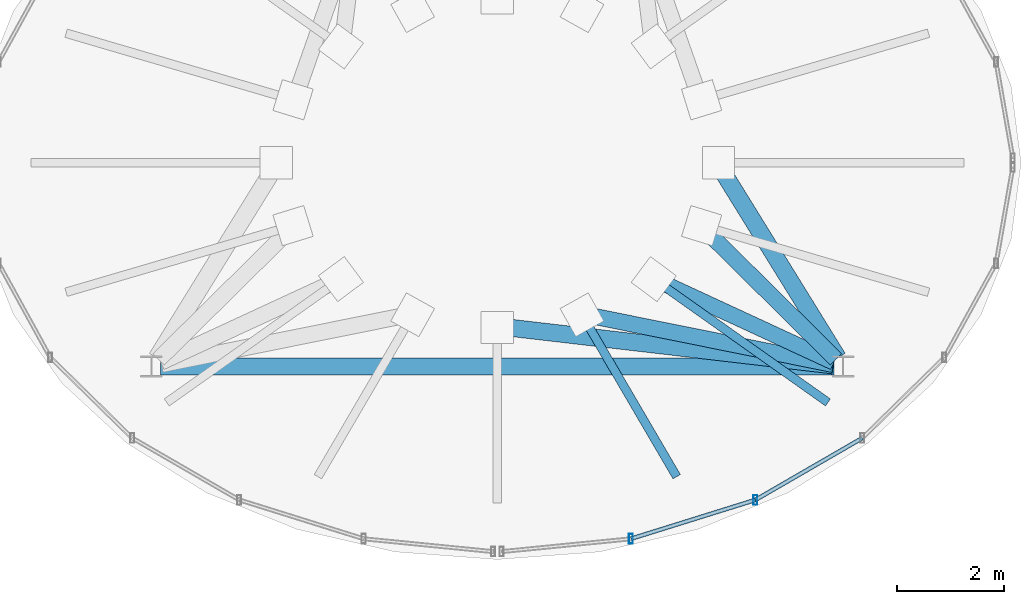
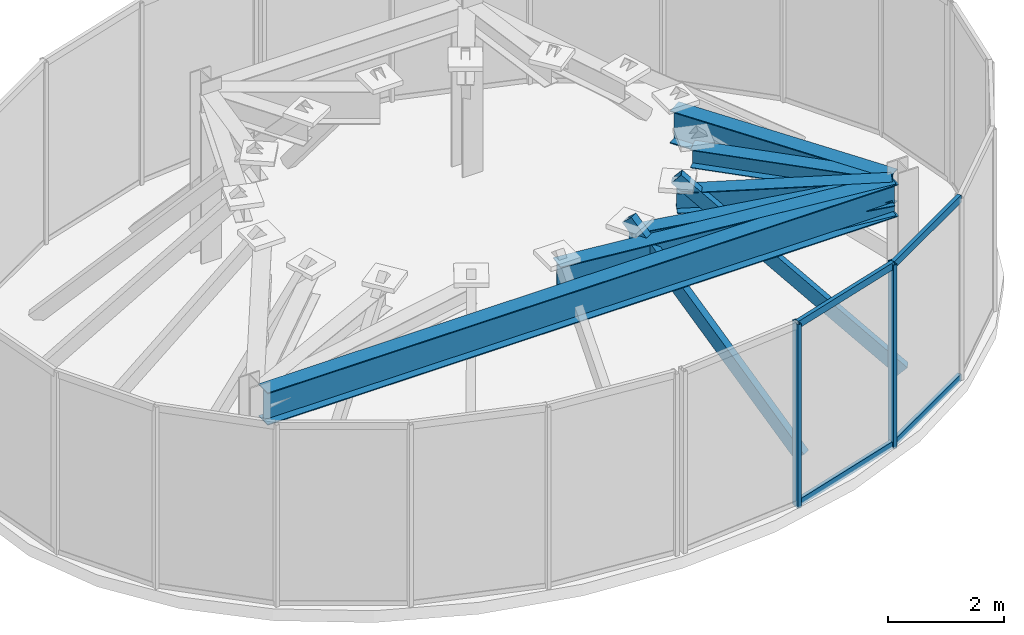
# One storey, part 3 of 8: 8 members, 6 beams, 1 element without a shape of its own.
"""IFC4 building model written with IfcOpenShell, lengths in metres."""

from ifc_helpers import new_model, si_unit, direction, frame, origin, origin_2d, place, context, subcontext, project, spatial, hollow_rectangle, i_section, extrude, material, material_profile, profile_set, type_object, element, aggregate, save


model = new_model("IFC4")

# Units and contexts
model_context = context("Model", 3, precision=1e-05, world=origin(), true_north=direction((0.0, 1.0)))
body_context = subcontext(model_context, "Body", "Model", "MODEL_VIEW")
ifc_project = project(units=[si_unit("LENGTHUNIT", "METRE"), si_unit("AREAUNIT", "SQUARE_METRE"), si_unit("VOLUMEUNIT", "CUBIC_METRE"), si_unit("PLANEANGLEUNIT", "RADIAN"), si_unit("MASSUNIT", "GRAM", prefix="KILO")], contexts=[model_context])

# Site, building, storey
site_placement = place(None, origin())
site = spatial("IfcSite", under=ifc_project, at=site_placement, CompositionType="ELEMENT")
building_placement = place(site_placement, origin())
building = spatial("IfcBuilding", under=site, at=building_placement, Name="Vorneva Point Tower", CompositionType="ELEMENT")
storey_placement = place(building_placement, frame((0.0, 0.0, 310.60009765625)))
storey = spatial("IfcBuildingStorey", under=building, at=storey_placement, Name="C05", CompositionType="ELEMENT", Elevation=310.60009765625)

# Beams
ifc_material_1 = material(Name="Steel S355", Category="steel")
ifc_material_profile_1 = material_profile(ifc_material_1, i_section(OverallWidth=0.299072265625, OverallDepth=0.383056640625, WebThickness=0.009521484375, FlangeThickness=0.012451171875, at=origin_2d()), Name="40Sh1")
ifc_profile_set_1 = profile_set([ifc_material_profile_1], Name="Steel S355")
beam_type_1 = type_object("IfcBeamType", Name="BM-GRD-40Sh1", PredefinedType="USERDEFINED", material=ifc_profile_set_1)
beam_1_placement = place(storey_placement, frame((41.787841796875, 24.832763671875, 3.3583984375), z_axis=(0.711011277246, -0.703180605271, 0.0), x_axis=(0.703180605271, 0.711011277246, 0.0)))
element("IfcBeam", 1, at=beam_1_placement, inside=storey, type_object=beam_type_1, Name="C05 Radial Primary Girder 16", ObjectType="GIRDER", PredefinedType="USERDEFINED", context=body_context, shape_type="SweptSolid", body=[
    extrude(i_section(OverallWidth=0.299072265625, OverallDepth=0.383056640625, WebThickness=0.009521484375, FlangeThickness=0.012451171875, at=origin_2d()), origin(), (0.0, 0.0, 1.0), 3.55419921875),
])
ifc_material_profile_2 = material_profile(ifc_material_1, i_section(OverallWidth=0.299072265625, OverallDepth=0.43505859375, WebThickness=0.010498046875, FlangeThickness=0.014892578125, at=origin_2d()), Name="45Sh1")
ifc_profile_set_2 = profile_set([ifc_material_profile_2], Name="Steel S355")
beam_type_2 = type_object("IfcBeamType", Name="BM-GRD-45Sh1", PredefinedType="USERDEFINED", material=ifc_profile_set_2)
beam_2_placement = place(storey_placement, frame((40.899169921875, 23.84326171875, 3.33251953125), z_axis=(0.907528942117, -0.419989546561, 0.0), x_axis=(0.419989546561, 0.907528942117, 0.0)))
element("IfcBeam", 2, at=beam_2_placement, inside=storey, type_object=beam_type_2, Name="C05 Radial Primary Girder 15", ObjectType="GIRDER", PredefinedType="USERDEFINED", context=body_context, shape_type="SweptSolid", body=[
    extrude(i_section(OverallWidth=0.299072265625, OverallDepth=0.43505859375, WebThickness=0.010498046875, FlangeThickness=0.014892578125, at=origin_2d()), origin(), (0.0, 0.0, 1.0), 3.72265625),
])
ifc_material_profile_3 = material_profile(ifc_material_1, i_section(OverallWidth=0.300048828125, OverallDepth=0.48193359375, WebThickness=0.010986328125, FlangeThickness=0.014892578125, at=origin_2d()), Name="50Sh1")
ifc_profile_set_3 = profile_set([ifc_material_profile_3], Name="Steel S355")
beam_type_3 = type_object("IfcBeamType", Name="BM-GRD-50Sh1", PredefinedType="USERDEFINED", material=ifc_profile_set_3)
beam_3_placement = place(storey_placement, frame((39.569091796875, 23.18212890625, 3.308837890625), z_axis=(0.980352553423, -0.197253316823, 0.0), x_axis=(0.197253316823, 0.980352553423, 0.0)))
element("IfcBeam", 3, at=beam_3_placement, inside=storey, type_object=beam_type_3, Name="C05 Radial Primary Girder 14", ObjectType="GIRDER", PredefinedType="USERDEFINED", context=body_context, shape_type="SweptSolid", body=[
    extrude(i_section(OverallWidth=0.300048828125, OverallDepth=0.48193359375, WebThickness=0.010986328125, FlangeThickness=0.014892578125, at=origin_2d()), origin(), (0.0, 0.0, 1.0), 4.78857421875),
])
ifc_material_profile_4 = material_profile(ifc_material_1, i_section(OverallWidth=0.320068359375, OverallDepth=0.68310546875, WebThickness=0.012939453125, FlangeThickness=0.01904296875, at=origin_2d()), Name="70Sh1")
ifc_profile_set_4 = profile_set([ifc_material_profile_4], Name="Steel S355")
beam_type_4 = type_object("IfcBeamType", Name="BM-GRD-70Sh1", PredefinedType="USERDEFINED", material=ifc_profile_set_4)
beam_4_placement = place(storey_placement, frame((42.10009765625, 26.0, 3.20849609375), z_axis=(0.525955722671, -0.850511950409, 0.0), x_axis=(0.850511950409, 0.525955722671, 0.0)))
element("IfcBeam", 4, at=beam_4_placement, inside=storey, type_object=beam_type_4, Name="C05 Radial Primary Girder 01", ObjectType="GIRDER", PredefinedType="USERDEFINED", context=body_context, shape_type="SweptSolid", body=[
    extrude(i_section(OverallWidth=0.320068359375, OverallDepth=0.68310546875, WebThickness=0.012939453125, FlangeThickness=0.01904296875, at=origin_2d()), origin(), (0.0, 0.0, 1.0), 4.27783203125),
])
beam_5_placement = place(storey_placement, frame((38.0, 22.949951171875, 3.20849609375), z_axis=(0.993307793651, -0.115497303309, 0.0), x_axis=(0.115497303309, 0.993307793651, 0.0)))
element("IfcBeam", 5, at=beam_5_placement, inside=storey, type_object=beam_type_4, Name="C05 Radial Primary Girder 13", ObjectType="GIRDER", PredefinedType="USERDEFINED", context=body_context, shape_type="SweptSolid", body=[
    extrude(i_section(OverallWidth=0.320068359375, OverallDepth=0.68310546875, WebThickness=0.012939453125, FlangeThickness=0.01904296875, at=origin_2d()), origin(), (0.0, 0.0, 1.0), 6.303466796875),
])
beam_6_placement = place(storey_placement, frame((31.719970703125, 22.199951171875, 3.20849609375), z_axis=(1.0, 0.0, 0.0), x_axis=(0.0, 1.0, 0.0)))
element("IfcBeam", 6, at=beam_6_placement, inside=storey, type_object=beam_type_4, Name="C05 Core Tie Girder CT1", ObjectType="GIRDER", PredefinedType="USERDEFINED", context=body_context, shape_type="SweptSolid", body=[
    extrude(i_section(OverallWidth=0.320068359375, OverallDepth=0.68310546875, WebThickness=0.012939453125, FlangeThickness=0.01904296875, at=origin_2d()), origin(), (0.0, 0.0, 1.0), 12.56005859375),
])

# Curtain wall, members
ifc_material_2 = material(Name="Pale anodised aluminium", Category="aluminium")
curtain_wall_type = type_object("IfcCurtainWallType", Name="CW-CRN-SYS", PredefinedType="NOTDEFINED", material=ifc_material_2)
curtain_wall_placement = place(storey_placement, origin())
curtain_wall = element("IfcCurtainWall", 7, at=curtain_wall_placement, inside=storey, type_object=curtain_wall_type, Name="C05 Unitised Curtain Wall CW-C05-Q4", PredefinedType="NOTDEFINED")
ifc_material_profile_5 = material_profile(ifc_material_2, hollow_rectangle(XDim=0.074951171875, YDim=0.179931640625, WallThickness=0.00390625, at=origin_2d()), Name="AL-MUL 180x75x4")
ifc_profile_set_5 = profile_set([ifc_material_profile_5], Name="Pale anodised aluminium")
member_type_1 = type_object("IfcMemberType", Name="CW-MUL-180", PredefinedType="MULLION", material=ifc_profile_set_5)
member_1_placement = place(storey_placement, frame((40.491943359375, 18.9873046875, -0.0400390625), z_axis=(0.0, 0.0, 1.0), x_axis=(1.0, 0.0, 0.0)))
member_1 = element("IfcMember", 8, at=member_1_placement, type_object=member_type_1, Name="CW-C05-Q4 Mullion 02", PredefinedType="MULLION", context=body_context, shape_type="SweptSolid", body=[
    extrude(hollow_rectangle(XDim=0.074951171875, YDim=0.179931640625, WallThickness=0.00390625, at=origin_2d()), origin(), (0.0, 0.0, 1.0), 3.869873046875),
])
member_2_placement = place(storey_placement, frame((42.81396484375, 19.712646484375, -0.0400390625), z_axis=(0.0, 0.0, 1.0), x_axis=(1.0, 0.0, 0.0)))
member_2 = element("IfcMember", 9, at=member_2_placement, type_object=member_type_1, Name="CW-C05-Q4 Mullion 03", PredefinedType="MULLION", context=body_context, shape_type="SweptSolid", body=[
    extrude(hollow_rectangle(XDim=0.074951171875, YDim=0.179931640625, WallThickness=0.00390625, at=origin_2d()), origin(), (0.0, 0.0, 1.0), 3.869873046875),
])
ifc_material_profile_6 = material_profile(ifc_material_2, hollow_rectangle(XDim=0.074951171875, YDim=0.14990234375, WallThickness=0.00390625, at=origin_2d()), Name="AL-TRN 150x75x4")
ifc_profile_set_6 = profile_set([ifc_material_profile_6], Name="Pale anodised aluminium")
member_type_2 = type_object("IfcMemberType", Name="CW-TRN-150", PredefinedType="USERDEFINED", material=ifc_profile_set_6)
member_3_placement = place(storey_placement, frame((40.491943359375, 18.9873046875, 0.02001953125), z_axis=(0.95451390104, 0.298166417831, 0.0), x_axis=(-0.298166417831, 0.95451390104, 0.0)))
member_3 = element("IfcMember", 10, at=member_3_placement, type_object=member_type_2, Name="CW-C05-Q4 Transom 02.1", ObjectType="TRANSOM", PredefinedType="USERDEFINED", context=body_context, shape_type="SweptSolid", body=[
    extrude(hollow_rectangle(XDim=0.074951171875, YDim=0.14990234375, WallThickness=0.00390625, at=origin_2d()), origin(), (0.0, 0.0, 1.0), 2.4326171875),
])
member_4_placement = place(storey_placement, frame((40.491943359375, 18.9873046875, 3.77978515625), z_axis=(0.95451390104, 0.298166417831, 0.0), x_axis=(-0.298166417831, 0.95451390104, 0.0)))
member_4 = element("IfcMember", 11, at=member_4_placement, type_object=member_type_2, Name="CW-C05-Q4 Transom 02.2", ObjectType="TRANSOM", PredefinedType="USERDEFINED", context=body_context, shape_type="SweptSolid", body=[
    extrude(hollow_rectangle(XDim=0.074951171875, YDim=0.14990234375, WallThickness=0.00390625, at=origin_2d()), origin(), (0.0, 0.0, 1.0), 2.4326171875),
])
member_5_placement = place(storey_placement, frame((42.81396484375, 19.712646484375, 0.02001953125), z_axis=(0.865556848897, 0.500810684119, 0.0), x_axis=(-0.500810684119, 0.865556848897, 0.0)))
member_5 = element("IfcMember", 12, at=member_5_placement, type_object=member_type_2, Name="CW-C05-Q4 Transom 03.1", ObjectType="TRANSOM", PredefinedType="USERDEFINED", context=body_context, shape_type="SweptSolid", body=[
    extrude(hollow_rectangle(XDim=0.074951171875, YDim=0.14990234375, WallThickness=0.00390625, at=origin_2d()), origin(), (0.0, 0.0, 1.0), 2.303955078125),
])
member_6_placement = place(storey_placement, frame((42.81396484375, 19.712646484375, 3.77978515625), z_axis=(0.865556848897, 0.500810684119, 0.0), x_axis=(-0.500810684119, 0.865556848897, 0.0)))
member_6 = element("IfcMember", 13, at=member_6_placement, type_object=member_type_2, Name="CW-C05-Q4 Transom 03.2", ObjectType="TRANSOM", PredefinedType="USERDEFINED", context=body_context, shape_type="SweptSolid", body=[
    extrude(hollow_rectangle(XDim=0.074951171875, YDim=0.14990234375, WallThickness=0.00390625, at=origin_2d()), origin(), (0.0, 0.0, 1.0), 2.303955078125),
])
aggregate(curtain_wall, [member_1, member_2, member_3, member_4, member_5, member_6])

# Members
ifc_material_profile_7 = material_profile(ifc_material_1, hollow_rectangle(XDim=0.159912109375, YDim=0.25, WallThickness=0.010009765625, at=origin_2d()), Name="PP 250x160x10")
ifc_profile_set_7 = profile_set([ifc_material_profile_7], Name="Steel S355")
member_type_3 = type_object("IfcMemberType", Name="MBR-CRN-PP250", PredefinedType="CHORD", material=ifc_profile_set_7)
member_7_placement = place(storey_placement, frame((41.298095703125, 20.225830078125, 0.0), z_axis=(-0.33799744938, 0.577917412389, 0.742811677796), x_axis=(-0.863206946257, -0.504850243075, 0.0)))
element("IfcMember", 14, at=member_7_placement, inside=storey, type_object=member_type_3, Name="Crown Tapered Frame Rib C05-14", PredefinedType="CHORD", context=body_context, shape_type="SweptSolid", body=[
    extrude(hollow_rectangle(XDim=0.159912109375, YDim=0.25, WallThickness=0.010009765625, at=origin_2d()), origin(), (0.0, 0.0, 1.0), 5.115478515625),
])
member_8_placement = place(storey_placement, frame((44.09375, 21.58056640625, 0.0), z_axis=(-0.585559055977, 0.414746758181, 0.696495311213), x_axis=(-0.577994846056, -0.816040414399, 0.0)))
element("IfcMember", 15, at=member_8_placement, inside=storey, type_object=member_type_3, Name="Crown Tapered Frame Rib C05-15", PredefinedType="CHORD", context=body_context, shape_type="SweptSolid", body=[
    extrude(hollow_rectangle(XDim=0.159912109375, YDim=0.25, WallThickness=0.010009765625, at=origin_2d()), origin(), (0.0, 0.0, 1.0), 5.45556640625),
])

save(model, "model.ifc")
